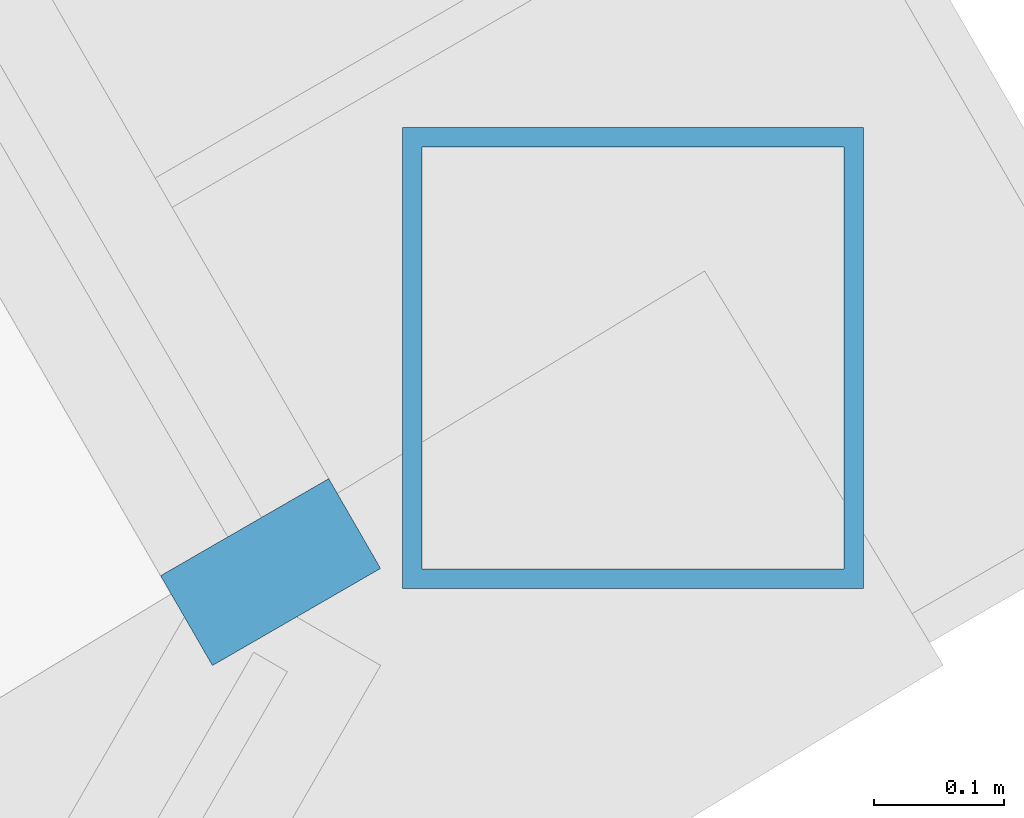
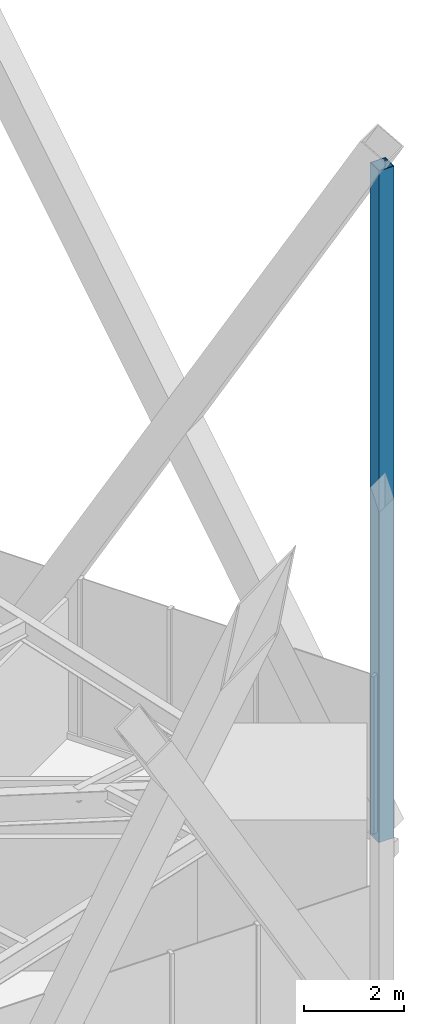
# One storey, part 12 of 21: 2 members, 1 element without a shape of its own.
"""IFC4 building model written with IfcOpenShell, lengths in metres."""

import ifcopenshell
import ifcopenshell.guid

model = None  # the IFC model being written
_history = None  # IfcOwnerHistory: only IFC2X3 demands one
_inside = {}  # id of a spatial element -> (the spatial element, [elements in it])
_under = {}  # id of a project, library or spatial element -> (it, [spatial elements below it])
_declared = {}  # id of a project -> (the project, [libraries it declares])
_typed = {}  # id of a type object -> (the type object, [elements of that type])
_made_of = {}  # id of a material, layer set ... -> (it, [elements and type objects made of it])


def new_model(schema):
    """Start an empty IFC model of exactly this schema.

    Asked for "IFC4X3", IfcOpenShell would pick the latest addendum, in which some entities
    have other attributes; the version numbers below select the first issue.
    IFC2X3 requires an IfcOwnerHistory on every rooted entity: one is made here for all.
    """
    global model, _history
    if schema == "IFC4X3":
        model = ifcopenshell.file(schema_version=(4, 3, 0, 0))
    else:
        model = ifcopenshell.file(schema=schema)
    _inside.clear()
    _under.clear()
    _declared.clear()
    _typed.clear()
    _made_of.clear()
    _history = None
    if model.schema == "IFC2X3":
        org = make("IfcOrganization", Name="unknown")
        user = make(
            "IfcPersonAndOrganization",
            ThePerson=make("IfcPerson", FamilyName="unknown"),
            TheOrganization=org,
        )
        app = make(
            "IfcApplication",
            ApplicationDeveloper=org,
            Version="unknown",
            ApplicationFullName="unknown",
            ApplicationIdentifier="unknown",
        )
        _history = make(
            "IfcOwnerHistory",
            OwningUser=user,
            OwningApplication=app,
            ChangeAction="ADDED",
            CreationDate=0,
        )
    return model


def make(cls, **values):
    """One entity of the class cls with the attributes given. An attribute that is None is left unset."""
    return model.create_entity(
        cls, **{name: value for name, value in values.items() if value is not None}
    )


def rooted(cls, **values):
    """An entity with a GlobalId (a new one), such as an element, a storey or a relation."""
    return make(cls, GlobalId=ifcopenshell.guid.new(), OwnerHistory=_history, **values)


def si_unit(unit_type, name, prefix=None):
    """IfcSIUnit, for example si_unit("LENGTHUNIT", "METRE", prefix="MILLI")."""
    return make("IfcSIUnit", UnitType=unit_type, Prefix=prefix, Name=name)


def assignment(units):
    """IfcUnitAssignment: the units of a project."""
    return None if units is None else make("IfcUnitAssignment", Units=units)


def point(xyz):
    """IfcCartesianPoint."""
    return None if xyz is None else make("IfcCartesianPoint", Coordinates=xyz)


def direction(xyz):
    """IfcDirection."""
    return None if xyz is None else make("IfcDirection", DirectionRatios=xyz)


def frame(location, z_axis=None, x_axis=None):
    """IfcAxis2Placement3D, a coordinate frame: its origin and axes. An axis left out is left unset."""
    return make(
        "IfcAxis2Placement3D",
        Location=point(location),
        Axis=direction(z_axis),
        RefDirection=direction(x_axis),
    )


def frame_2d(location, x_axis=None):
    """IfcAxis2Placement2D, a coordinate frame in the plane: its origin and x axis."""
    return make(
        "IfcAxis2Placement2D", Location=point(location), RefDirection=direction(x_axis)
    )


def origin():
    """The frame at (0, 0, 0) with its axes left unset."""
    return frame((0.0, 0.0, 0.0))


def origin_2d():
    """The frame at (0, 0) in the plane with its x axis left unset."""
    return frame_2d((0.0, 0.0))


def place(relative_to, where):
    """IfcLocalPlacement: puts the frame where relative to a parent placement (None: the world)."""
    return make(
        "IfcLocalPlacement", PlacementRelTo=relative_to, RelativePlacement=where
    )


def context(
    kind, dimensions, precision=None, world=None, true_north=None, identifier=None
):
    """IfcGeometricRepresentationContext, for example the 3D "Model" context."""
    return make(
        "IfcGeometricRepresentationContext",
        ContextIdentifier=identifier,
        ContextType=kind,
        CoordinateSpaceDimension=dimensions,
        Precision=precision,
        WorldCoordinateSystem=world,
        TrueNorth=true_north,
    )


def subcontext(parent, identifier, kind, view, scale=None):
    """IfcGeometricRepresentationSubContext, for example "Body" below "Model"."""
    return make(
        "IfcGeometricRepresentationSubContext",
        ContextIdentifier=identifier,
        ContextType=kind,
        ParentContext=parent,
        TargetScale=scale,
        TargetView=view,
    )


def project(units=None, contexts=None):
    """IfcProject with its units and contexts."""
    return rooted(
        "IfcProject",
        Name="project",
        RepresentationContexts=contexts,
        UnitsInContext=assignment(units),
    )


def spatial(cls, under=None, at=None, **own):
    """A site, building, storey or space (cls), placed at a placement, below another one or the project."""
    s = rooted(cls, ObjectPlacement=at, **own)
    if under is not None:
        _under.setdefault(under.id(), (under, []))[1].append(s)
    return s


def profile(cls, at=None, kind="AREA", **sizes):
    """A parametric profile (cls). Its sizes go by their IFC names, for example OverallWidth=200.0."""
    return make(cls, ProfileType=kind, Position=at, **sizes)


def rectangle(**sizes):
    """IfcRectangleProfileDef."""
    return profile("IfcRectangleProfileDef", **sizes)


def hollow_rectangle(**sizes):
    """IfcRectangleHollowProfileDef."""
    return profile("IfcRectangleHollowProfileDef", **sizes)


def extrude(swept, where, along, depth):
    """IfcExtrudedAreaSolid: the profile swept, set in the frame where, extruded along a direction by depth."""
    return make(
        "IfcExtrudedAreaSolid",
        SweptArea=swept,
        Position=where,
        ExtrudedDirection=direction(along),
        Depth=depth,
    )


def shape(context_of_items, identifier, shape_type, items):
    """IfcShapeRepresentation: the items that make up one representation, for example the "Body"."""
    return make(
        "IfcShapeRepresentation",
        ContextOfItems=context_of_items,
        RepresentationIdentifier=identifier,
        RepresentationType=shape_type,
        Items=items,
    )


def material(Name=None, Category=None):
    """IfcMaterial."""
    return make("IfcMaterial", Name=Name, Category=Category)


def layer(
    of_material, thickness, ventilated=None, Name=None, Category=None, Priority=None
):
    """IfcMaterialLayer: one layer of a wall or slab, of a material (None: an air gap)."""
    return make(
        "IfcMaterialLayer",
        Material=of_material,
        LayerThickness=thickness,
        IsVentilated=ventilated,
        Name=Name,
        Category=Category,
        Priority=Priority,
    )


def layer_set(layers, Name=None):
    """IfcMaterialLayerSet."""
    return make("IfcMaterialLayerSet", MaterialLayers=layers, LayerSetName=Name)


def material_profile(
    of_material, cross_section, Name=None, Category=None, Priority=None
):
    """IfcMaterialProfile: a cross section and its material."""
    return make(
        "IfcMaterialProfile",
        Name=Name,
        Material=of_material,
        Profile=cross_section,
        Priority=Priority,
        Category=Category,
    )


def profile_set(profiles, Name=None, composite=None):
    """IfcMaterialProfileSet."""
    return make(
        "IfcMaterialProfileSet",
        Name=Name,
        MaterialProfiles=profiles,
        CompositeProfile=composite,
    )


def made_of(thing, what):
    """Note that an element or type object is made of a material, layer set ...; save() writes the relation."""
    if what is not None:
        _made_of.setdefault(what.id(), (what, []))[1].append(thing)
    return thing


def type_object(cls, material=None, **own):
    """A type object (cls), such as IfcWallType, which elements share."""
    return made_of(rooted(cls, **own), material)


def element(
    cls,
    number,
    at=None,
    inside=None,
    cuts=None,
    type_object=None,
    material=None,
    context=None,
    identifier="Body",
    shape_type=None,
    held_by="IfcProductDefinitionShape",
    body=None,
    shapes=None,
    **own,
):
    """One element of the class cls, such as IfcWall. Its Tag is "e" and its number.

    at: its placement. inside: the storey or other place that contains it. cuts: it is an
    opening in that element (IfcRelVoidsElement). A single representation is given by context,
    identifier, shape_type and body (its items); several are given by shapes. held_by: the class
    of the entity that holds the representations. save() writes the other relations.
    """
    e = rooted(cls, Tag="e%d" % number, ObjectPlacement=at, **own)
    if body is not None:
        shapes = [shape(context, identifier, shape_type, body)]
    if shapes is not None:
        e.Representation = make(held_by, Representations=shapes)
    if inside is not None:
        _inside.setdefault(inside.id(), (inside, []))[1].append(e)
    if cuts is not None:
        rooted(
            "IfcRelVoidsElement", RelatingBuildingElement=cuts, RelatedOpeningElement=e
        )
    if type_object is not None:
        _typed.setdefault(type_object.id(), (type_object, []))[1].append(e)
    return made_of(e, material)


def aggregate(whole, parts):
    """IfcRelAggregates: a whole, such as a stair, and the parts it consists of."""
    return rooted("IfcRelAggregates", RelatingObject=whole, RelatedObjects=parts)


def save(model, path):
    """Write the relations noted so far, then the file.

    IfcRelAggregates (storeys below a building ...), IfcRelContainedInSpatialStructure (elements
    in a storey), IfcRelDefinesByType, IfcRelAssociatesMaterial and IfcRelDeclares: one each for
    every whole, place, type object, material and project.
    """
    for whole, parts in _under.values():
        aggregate(whole, parts)
    for where, things in _inside.values():
        rooted(
            "IfcRelContainedInSpatialStructure",
            RelatedElements=things,
            RelatingStructure=where,
        )
    for kind, things in _typed.values():
        rooted("IfcRelDefinesByType", RelatedObjects=things, RelatingType=kind)
    for what, things in _made_of.values():
        rooted("IfcRelAssociatesMaterial", RelatedObjects=things, RelatingMaterial=what)
    for by, libraries in _declared.values():
        rooted("IfcRelDeclares", RelatingContext=by, RelatedDefinitions=libraries)
    model.write(path)


model = new_model("IFC4")

# Units and contexts
model_context = context("Model", 3, precision=1e-05, world=origin(), true_north=direction((0.0, 1.0)))
body_context = subcontext(model_context, "Body", "Model", "MODEL_VIEW")
ifc_project = project(units=[si_unit("LENGTHUNIT", "METRE"), si_unit("AREAUNIT", "SQUARE_METRE"), si_unit("VOLUMEUNIT", "CUBIC_METRE"), si_unit("PLANEANGLEUNIT", "RADIAN"), si_unit("MASSUNIT", "GRAM", prefix="KILO")], contexts=[model_context])

# Site, building, storey
site_placement = place(None, origin())
site = spatial("IfcSite", under=ifc_project, at=site_placement, CompositionType="ELEMENT")
building_placement = place(site_placement, origin())
building = spatial("IfcBuilding", under=site, at=building_placement, Name="Firuza Gate Tower and Library", CompositionType="ELEMENT")
storey_placement = place(building_placement, frame((0.0, 0.0, 73.60009765625)))
storey = spatial("IfcBuildingStorey", under=building, at=storey_placement, Name="L16", CompositionType="ELEMENT", Elevation=73.60009765625)

# Curtain wall, member
ifc_material_1 = material(Name="Aluminium 6063-T6", Category="aluminium")
ifc_layer = layer(ifc_material_1, 0.14990234375)
ifc_layer_set = layer_set([ifc_layer], Name="Unitised curtain wall, offices")
curtain_wall_type = type_object("IfcCurtainWallType", Name="Unitised curtain wall, offices", PredefinedType="NOTDEFINED", material=ifc_layer_set)
curtain_wall_placement = place(storey_placement, origin())
curtain_wall = element("IfcCurtainWall", 1, at=curtain_wall_placement, inside=storey, type_object=curtain_wall_type, Name="CW1 L16 E face", PredefinedType="NOTDEFINED")
ifc_material_2 = material(Name="Aluminium 6063-T6", Category="aluminium")
ifc_material_profile_1 = material_profile(ifc_material_2, rectangle(XDim=0.14990234375, YDim=0.080078125, at=origin_2d()))
ifc_profile_set_1 = profile_set([ifc_material_profile_1], Name="Aluminium 6063-T6")
member_type_1 = type_object("IfcMemberType", Name="Curtain wall mullion 80x150", PredefinedType="MULLION", material=ifc_profile_set_1)
member_1_placement = place(storey_placement, frame((107.12255859375, 60.68408203125, 0.14990234375), z_axis=(0.0, 0.0, 1.0), x_axis=(-0.866025403784, -0.5, 0.0)))
member_1 = element("IfcMember", 2, at=member_1_placement, type_object=member_type_1, Name="Mullion", PredefinedType="MULLION", context=body_context, shape_type="SweptSolid", body=[
    extrude(rectangle(XDim=0.14990234375, YDim=0.080078125, at=origin_2d()), origin(), (0.0, 0.0, 1.0), 3.85009765625),
])
aggregate(curtain_wall, [member_1])

# Member
ifc_material_3 = material(Name="Steel S355", Category="steel")
ifc_material_profile_2 = material_profile(ifc_material_3, hollow_rectangle(XDim=0.355712890625, YDim=0.355712890625, WallThickness=0.014892578125, at=origin_2d()))
ifc_profile_set_2 = profile_set([ifc_material_profile_2], Name="Steel S355")
member_type_2 = type_object("IfcMemberType", Name="HSS356x356x16 Lattice corner stile", PredefinedType="BRACE", material=ifc_profile_set_2)
member_2_placement = place(storey_placement, frame((107.40234375, 60.849365234375, -0.14013671875), z_axis=(0.0, 0.0, 1.0), x_axis=(1.0, 0.0, 0.0)))
element("IfcMember", 3, at=member_2_placement, inside=storey, type_object=member_type_2, Name="Lattice corner stile E 3.A", PredefinedType="BRACE", context=body_context, shape_type="SweptSolid", body=[
    extrude(hollow_rectangle(XDim=0.355712890625, YDim=0.355712890625, WallThickness=0.014892578125, at=origin_2d()), origin(), (0.0, 0.0, 1.0), 16.43994140625),
])

save(model, "model.ifc")
